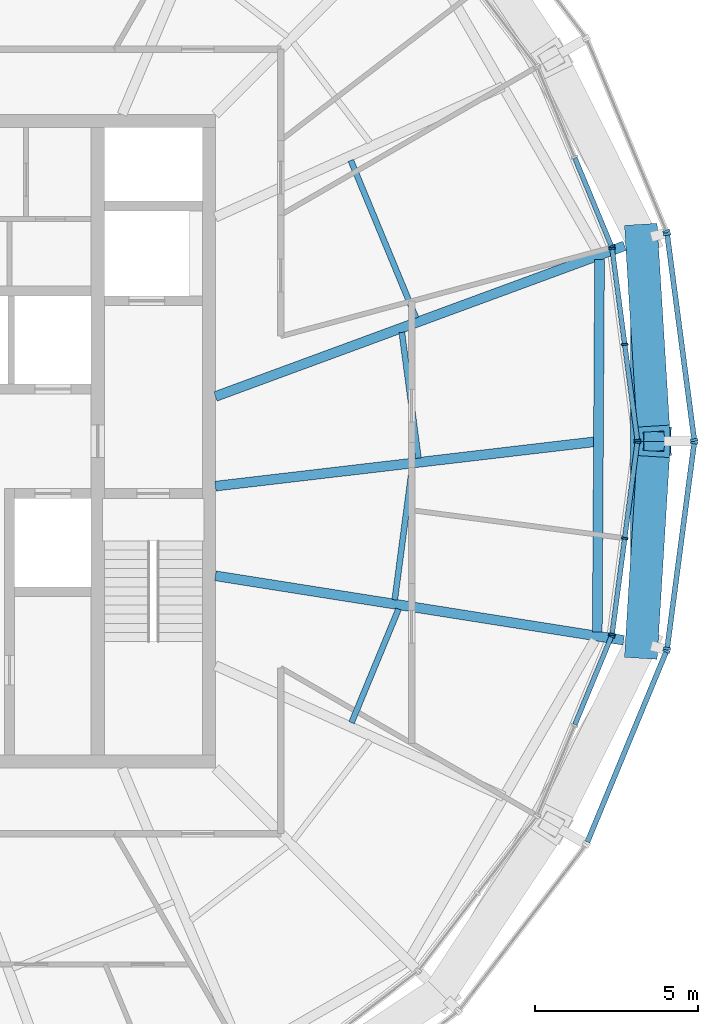
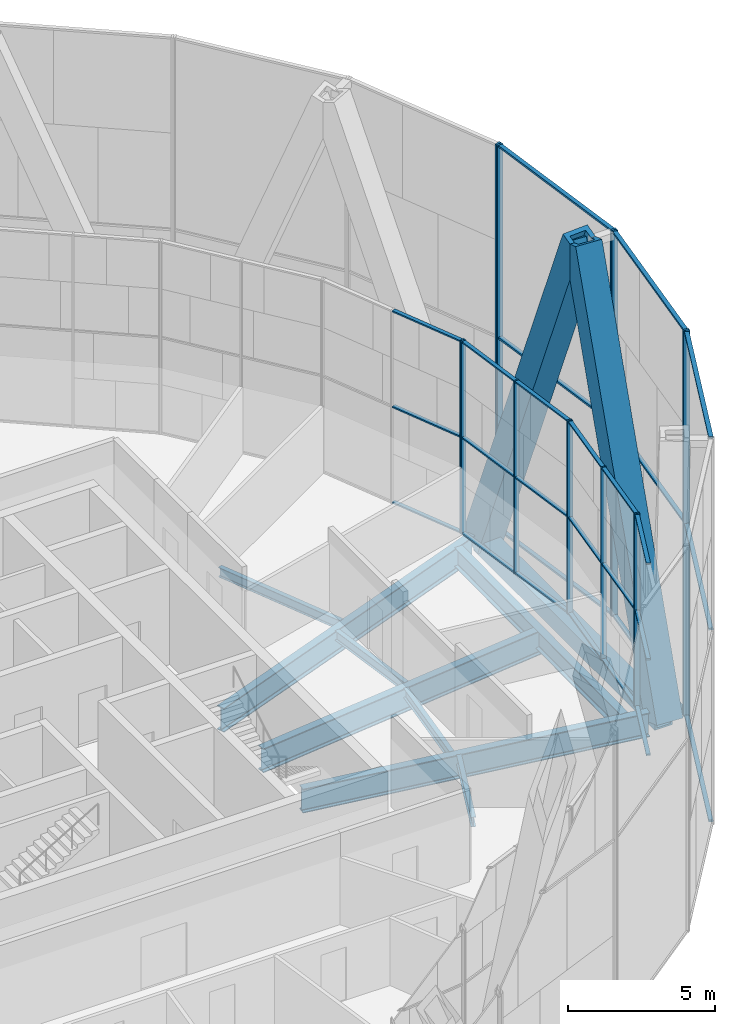
# One storey, part 5 of 23: 43 members, 9 beams, 8 elements without a shape of their own.
"""IFC4 building model written with IfcOpenShell, lengths in metres."""

from ifc_helpers import new_model, si_unit, direction, frame, origin, origin_2d, place, context, subcontext, project, spatial, rectangle, hollow_rectangle, i_section, extrude, material, material_profile, profile_set, type_object, element, aggregate, save


model = new_model("IFC4")

# Units and contexts
model_context = context("Model", 3, precision=1e-05, world=origin(), true_north=direction((0.0, 1.0)))
body_context = subcontext(model_context, "Body", "Model", "MODEL_VIEW")
ifc_project = project(units=[si_unit("LENGTHUNIT", "METRE"), si_unit("AREAUNIT", "SQUARE_METRE"), si_unit("VOLUMEUNIT", "CUBIC_METRE"), si_unit("PLANEANGLEUNIT", "RADIAN"), si_unit("MASSUNIT", "GRAM", prefix="KILO")], contexts=[model_context])

# Site, building, storey
site_placement = place(None, origin())
site = spatial("IfcSite", under=ifc_project, at=site_placement, CompositionType="ELEMENT")
building_placement = place(site_placement, origin())
building = spatial("IfcBuilding", under=site, at=building_placement, Name="Golbaran Civic Tower", CompositionType="ELEMENT")
storey_placement = place(building_placement, frame((0.0, 0.0, 232.0)))
storey = spatial("IfcBuildingStorey", under=building, at=storey_placement, Name="L56", CompositionType="ELEMENT", Elevation=232.0)

# Members
ifc_material_1 = material(Name="Steel S355", Category="steel")
ifc_material_profile_1 = material_profile(ifc_material_1, hollow_rectangle(XDim=1.0, YDim=1.0, WallThickness=0.179931640625, at=origin_2d()), Name="BOX 1000x1000x180")
ifc_profile_set_1 = profile_set([ifc_material_profile_1], Name="Steel S355")
member_type_1 = type_object("IfcMemberType", Name="DIAGRID DIAGONAL BOX 1000x1000x180", PredefinedType="BRACE", material=ifc_profile_set_1)
for number, where, z_axis, x_axis, name in (
    (1, (23.042236328125, 6.174072265625, -0.7099609375), (0.022202195339, -0.359917511497, 0.932719919075), (0.998102776097, 0.061569865582, 0.0), "Diagonal D13-00L L56-L60"),
    (2, (23.042236328125, -6.174072265625, -0.7099609375), (0.022202195339, 0.359917511497, 0.932719919075), (-0.998102776097, 0.061569865582, 0.0), "Diagonal D13-11R L56-L60"),
):
    element("IfcMember", number, at=place(storey_placement, frame(where, z_axis=z_axis, x_axis=x_axis)), inside=storey, type_object=member_type_1, Name=name, PredefinedType="BRACE", context=body_context, shape_type="SweptSolid", body=[
        extrude(hollow_rectangle(XDim=1.0, YDim=1.0, WallThickness=0.179931640625, at=origin_2d()), origin(), (0.0, 0.0, 1.0), 17.154052734375),
    ])

# Beams
ifc_material_profile_2 = material_profile(ifc_material_1, hollow_rectangle(XDim=0.699951171875, YDim=0.699951171875, WallThickness=0.080078125, at=origin_2d()), Name="BOX 700x700x80")
ifc_profile_set_2 = profile_set([ifc_material_profile_2], Name="Steel S355")
beam_type_1 = type_object("IfcBeamType", Name="DIAGRID RING TIE BOX 700x700x80", PredefinedType="BEAM", material=ifc_profile_set_2)
beam_1_placement = place(storey_placement, frame((23.042236328125, -6.174072265625, -0.7099609375), z_axis=(0.0, 1.0, 0.0), x_axis=(-1.0, 0.0, 0.0)))
element("IfcBeam", 3, at=beam_1_placement, inside=storey, type_object=beam_type_1, Name="Ring tie 345.00 L56", PredefinedType="BEAM", context=body_context, shape_type="SweptSolid", body=[
    extrude(hollow_rectangle(XDim=0.699951171875, YDim=0.699951171875, WallThickness=0.080078125, at=origin_2d()), origin(), (0.0, 0.0, 1.0), 12.34814453125),
])
ifc_material_profile_3 = material_profile(ifc_material_1, i_section(OverallWidth=0.300048828125, OverallDepth=0.800048828125, WebThickness=0.017578125, FlangeThickness=0.032958984375, FilletRadius=0.030029296875, at=origin_2d()), Name="HEB 800")
ifc_profile_set_3 = profile_set([ifc_material_profile_3], Name="Steel S355")
beam_type_2 = type_object("IfcBeamType", Name="EDGE BEAM HEB 800", PredefinedType="BEAM", material=ifc_profile_set_3)
beam_2_placement = place(storey_placement, frame((21.68359375, -5.827880859375, -0.60009765625), z_axis=(0.006002421504, 0.999981985306, 0.0), x_axis=(-0.999981985306, 0.006002421504, 0.0)))
element("IfcBeam", 4, at=beam_2_placement, inside=storey, type_object=beam_type_2, Name="Edge beam 345.00 L56", PredefinedType="BEAM", context=body_context, shape_type="SweptSolid", body=[
    extrude(i_section(OverallWidth=0.300048828125, OverallDepth=0.800048828125, WebThickness=0.017578125, FlangeThickness=0.032958984375, FilletRadius=0.030029296875, at=origin_2d()), origin(), (0.0, 0.0, 1.0), 11.388671875),
])
ifc_material_profile_4 = material_profile(ifc_material_1, i_section(OverallWidth=0.179931640625, OverallDepth=0.39990234375, WebThickness=0.008544921875, FlangeThickness=0.013427734375, FilletRadius=0.02099609375, at=origin_2d()), Name="IPE 400")
ifc_profile_set_4 = profile_set([ifc_material_profile_4], Name="Steel S355")
beam_type_3 = type_object("IfcBeamType", Name="FLOOR INFILL BEAM IPE 400", PredefinedType="BEAM", material=ifc_profile_set_4)
beam_3_placement = place(storey_placement, frame((16.21044921875, -0.513671875, -0.39990234375), z_axis=(-0.130490318339, 0.9914495836, 0.0), x_axis=(-0.9914495836, -0.130490318339, 0.0)))
element("IfcBeam", 5, at=beam_3_placement, inside=storey, type_object=beam_type_3, Name="Infill beam 7.50 L56", PredefinedType="BEAM", context=body_context, shape_type="SweptSolid", body=[
    extrude(i_section(OverallWidth=0.179931640625, OverallDepth=0.39990234375, WebThickness=0.008544921875, FlangeThickness=0.013427734375, FilletRadius=0.02099609375, at=origin_2d()), origin(), (0.0, 0.0, 1.0), 3.88037109375),
])
beam_4_placement = place(storey_placement, frame((16.139404296875, 3.770751953125, -0.39990234375), z_axis=(-0.382672489845, 0.923884064976, 0.0), x_axis=(-0.923884064976, -0.382672489845, 0.0)))
element("IfcBeam", 6, at=beam_4_placement, inside=storey, type_object=beam_type_3, Name="Infill beam 22.50 L56", PredefinedType="BEAM", context=body_context, shape_type="SweptSolid", body=[
    extrude(i_section(OverallWidth=0.179931640625, OverallDepth=0.39990234375, WebThickness=0.008544921875, FlangeThickness=0.013427734375, FilletRadius=0.02099609375, at=origin_2d()), origin(), (0.0, 0.0, 1.0), 5.221923828125),
])
beam_5_placement = place(storey_placement, frame((14.164306640625, -8.607421875, -0.39990234375), z_axis=(0.382684157055, 0.923879232334, 0.0), x_axis=(-0.923879232334, 0.382684157055, 0.0)))
element("IfcBeam", 7, at=beam_5_placement, inside=storey, type_object=beam_type_3, Name="Infill beam 337.50 L56", PredefinedType="BEAM", context=body_context, shape_type="SweptSolid", body=[
    extrude(i_section(OverallWidth=0.179931640625, OverallDepth=0.39990234375, WebThickness=0.008544921875, FlangeThickness=0.013427734375, FilletRadius=0.02099609375, at=origin_2d()), origin(), (0.0, 0.0, 1.0), 3.7626953125),
])
beam_6_placement = place(storey_placement, frame((15.487060546875, -4.849365234375, -0.39990234375), z_axis=(0.13053951133, 0.991443107789, 0.0), x_axis=(-0.991443107789, 0.13053951133, 0.0)))
element("IfcBeam", 8, at=beam_6_placement, inside=storey, type_object=beam_type_3, Name="Infill beam 352.50 L56", PredefinedType="BEAM", context=body_context, shape_type="SweptSolid", body=[
    extrude(i_section(OverallWidth=0.179931640625, OverallDepth=0.39990234375, WebThickness=0.008544921875, FlangeThickness=0.013427734375, FilletRadius=0.02099609375, at=origin_2d()), origin(), (0.0, 0.0, 1.0), 4.08642578125),
])

# Curtain wall, members
ifc_material_2 = material(Name="Aluminium and glass", Category="aluminium")
curtain_wall_type_1 = type_object("IfcCurtainWallType", Name="INNER SKIN CURTAIN WALL EXECUTIVE", PredefinedType="NOTDEFINED", material=ifc_material_2)
curtain_wall_1_placement = place(storey_placement, origin())
curtain_wall_1 = element("IfcCurtainWall", 9, at=curtain_wall_1_placement, inside=storey, type_object=curtain_wall_type_1, Name="Inner skin L56 facet 1 CW2", ObjectType="INNER SKIN", PredefinedType="USERDEFINED")
ifc_material_3 = material(Name="Aluminium", Category="aluminium")
ifc_material_profile_5 = material_profile(ifc_material_3, rectangle(XDim=0.199951171875, YDim=0.06005859375, at=origin_2d()), Name="INNER SKIN CURTAIN WALL EXECUTIVE MULLION")
ifc_profile_set_5 = profile_set([ifc_material_profile_5], Name="Aluminium")
member_type_2 = type_object("IfcMemberType", Name="INNER SKIN CURTAIN WALL EXECUTIVE MULLION", PredefinedType="MULLION", material=ifc_profile_set_5)
member_1_placement = place(storey_placement, frame((22.9091796875, 0.02978515625, 0.0), z_axis=(0.0, 0.0, 1.0), x_axis=(-0.991444861378, -0.130526192185, 0.0)))
member_1 = element("IfcMember", 10, at=member_1_placement, type_object=member_type_2, Name="CW2 mullion 1", PredefinedType="MULLION", context=body_context, shape_type="SweptSolid", body=[
    extrude(rectangle(XDim=0.199951171875, YDim=0.06005859375, at=origin_2d()), origin(), (0.0, 0.0, 1.0), 8.0),
])
member_2_placement = place(storey_placement, frame((22.522705078125, 2.965087890625, 0.0), z_axis=(0.0, 0.0, 1.0), x_axis=(-0.991444861378, -0.130526192185, 0.0)))
member_2 = element("IfcMember", 11, at=member_2_placement, type_object=member_type_2, Name="CW2 mullion 2", PredefinedType="MULLION", context=body_context, shape_type="SweptSolid", body=[
    extrude(rectangle(XDim=0.199951171875, YDim=0.06005859375, at=origin_2d()), origin(), (0.0, 0.0, 1.0), 8.0),
])
member_3_placement = place(storey_placement, frame((22.13623046875, 5.900634765625, 0.0), z_axis=(0.0, 0.0, 1.0), x_axis=(-0.991444861378, -0.130526192185, 0.0)))
member_3 = element("IfcMember", 12, at=member_3_placement, type_object=member_type_2, Name="CW2 mullion 3", PredefinedType="MULLION", context=body_context, shape_type="SweptSolid", body=[
    extrude(rectangle(XDim=0.199951171875, YDim=0.06005859375, at=origin_2d()), origin(), (0.0, 0.0, 1.0), 8.0),
])

# Curtain wall, member
curtain_wall_2_placement = place(storey_placement, origin())
curtain_wall_2 = element("IfcCurtainWall", 13, at=curtain_wall_2_placement, inside=storey, type_object=curtain_wall_type_1, Name="Inner skin L56 facet 2 CW2", ObjectType="INNER SKIN", PredefinedType="USERDEFINED")
member_4_placement = place(storey_placement, frame((22.120849609375, 5.9580078125, 0.0), z_axis=(0.0, 0.0, 1.0), x_axis=(-0.923879532511, -0.382683432365, 0.0)))
member_4 = element("IfcMember", 14, at=member_4_placement, type_object=member_type_2, Name="CW2 mullion 1", PredefinedType="MULLION", context=body_context, shape_type="SweptSolid", body=[
    extrude(rectangle(XDim=0.199951171875, YDim=0.06005859375, at=origin_2d()), origin(), (0.0, 0.0, 1.0), 8.0),
])

curtain_wall_3_placement = place(storey_placement, origin())
curtain_wall_3 = element("IfcCurtainWall", 15, at=curtain_wall_3_placement, inside=storey, type_object=curtain_wall_type_1, Name="Inner skin L56 facet 23 CW2", ObjectType="INNER SKIN", PredefinedType="USERDEFINED")
member_5_placement = place(storey_placement, frame((22.120849609375, -5.9580078125, 0.0), z_axis=(0.0, 0.0, 1.0), x_axis=(-0.923879532511, 0.382683432365, 0.0)))
member_5 = element("IfcMember", 16, at=member_5_placement, type_object=member_type_2, Name="CW2 mullion 3", PredefinedType="MULLION", context=body_context, shape_type="SweptSolid", body=[
    extrude(rectangle(XDim=0.199951171875, YDim=0.06005859375, at=origin_2d()), origin(), (0.0, 0.0, 1.0), 8.0),
])

# Curtain wall, members
curtain_wall_4_placement = place(storey_placement, origin())
curtain_wall_4 = element("IfcCurtainWall", 17, at=curtain_wall_4_placement, inside=storey, type_object=curtain_wall_type_1, Name="Inner skin L56 facet 24 CW2", ObjectType="INNER SKIN", PredefinedType="USERDEFINED")
member_6_placement = place(storey_placement, frame((22.13623046875, -5.900634765625, 0.0), z_axis=(0.0, 0.0, 1.0), x_axis=(-0.991444861378, 0.130526192185, 0.0)))
member_6 = element("IfcMember", 18, at=member_6_placement, type_object=member_type_2, Name="CW2 mullion 1", PredefinedType="MULLION", context=body_context, shape_type="SweptSolid", body=[
    extrude(rectangle(XDim=0.199951171875, YDim=0.06005859375, at=origin_2d()), origin(), (0.0, 0.0, 1.0), 8.0),
])
member_7_placement = place(storey_placement, frame((22.522705078125, -2.965087890625, 0.0), z_axis=(0.0, 0.0, 1.0), x_axis=(-0.991444861378, 0.130526192185, 0.0)))
member_7 = element("IfcMember", 19, at=member_7_placement, type_object=member_type_2, Name="CW2 mullion 2", PredefinedType="MULLION", context=body_context, shape_type="SweptSolid", body=[
    extrude(rectangle(XDim=0.199951171875, YDim=0.06005859375, at=origin_2d()), origin(), (0.0, 0.0, 1.0), 8.0),
])
member_8_placement = place(storey_placement, frame((22.9091796875, -0.02978515625, 0.0), z_axis=(0.0, 0.0, 1.0), x_axis=(-0.991444861378, 0.130526192185, 0.0)))
member_8 = element("IfcMember", 20, at=member_8_placement, type_object=member_type_2, Name="CW2 mullion 3", PredefinedType="MULLION", context=body_context, shape_type="SweptSolid", body=[
    extrude(rectangle(XDim=0.199951171875, YDim=0.06005859375, at=origin_2d()), origin(), (0.0, 0.0, 1.0), 8.0),
])

# Member
ifc_material_profile_6 = material_profile(ifc_material_3, rectangle(XDim=0.14990234375, YDim=0.06005859375, at=origin_2d()), Name="INNER SKIN CURTAIN WALL EXECUTIVE TRANSOM")
ifc_profile_set_6 = profile_set([ifc_material_profile_6], Name="Aluminium")
member_type_3 = type_object("IfcMemberType", Name="INNER SKIN CURTAIN WALL EXECUTIVE TRANSOM", PredefinedType="USERDEFINED", material=ifc_profile_set_6)
member_9_placement = place(storey_placement, frame((22.9052734375, 0.0595703125, 0.030029296875), z_axis=(-0.130548136409, 0.99144197212, 0.0), x_axis=(-0.99144197212, -0.130548136409, 0.0)))
member_9 = element("IfcMember", 21, at=member_9_placement, type_object=member_type_3, Name="CW2 transom 1.1", ObjectType="TRANSOM", PredefinedType="USERDEFINED", context=body_context, shape_type="SweptSolid", body=[
    extrude(rectangle(XDim=0.14990234375, YDim=0.06005859375, at=origin_2d()), origin(), (0.0, 0.0, 1.0), 2.900634765625),
])

member_10_placement = place(storey_placement, frame((22.9052734375, 0.0595703125, 4.0), z_axis=(-0.130548136409, 0.99144197212, 0.0), x_axis=(-0.99144197212, -0.130548136409, 0.0)))
member_10 = element("IfcMember", 22, at=member_10_placement, type_object=member_type_3, Name="CW2 transom 1.2", ObjectType="TRANSOM", PredefinedType="USERDEFINED", context=body_context, shape_type="SweptSolid", body=[
    extrude(rectangle(XDim=0.14990234375, YDim=0.06005859375, at=origin_2d()), origin(), (0.0, 0.0, 1.0), 2.900634765625),
])

member_11_placement = place(storey_placement, frame((22.9052734375, 0.0595703125, 7.969970703125), z_axis=(-0.130548136409, 0.99144197212, 0.0), x_axis=(-0.99144197212, -0.130548136409, 0.0)))
member_11 = element("IfcMember", 23, at=member_11_placement, type_object=member_type_3, Name="CW2 transom 1.3", ObjectType="TRANSOM", PredefinedType="USERDEFINED", context=body_context, shape_type="SweptSolid", body=[
    extrude(rectangle(XDim=0.14990234375, YDim=0.06005859375, at=origin_2d()), origin(), (0.0, 0.0, 1.0), 2.900634765625),
])

member_12_placement = place(storey_placement, frame((22.518798828125, 2.994873046875, 0.030029296875), z_axis=(-0.130537243072, 0.991443406439, 0.0), x_axis=(-0.991443406439, -0.130537243072, 0.0)))
member_12 = element("IfcMember", 24, at=member_12_placement, type_object=member_type_3, Name="CW2 transom 2.1", ObjectType="TRANSOM", PredefinedType="USERDEFINED", context=body_context, shape_type="SweptSolid", body=[
    extrude(rectangle(XDim=0.14990234375, YDim=0.06005859375, at=origin_2d()), origin(), (0.0, 0.0, 1.0), 2.90087890625),
])

member_13_placement = place(storey_placement, frame((22.518798828125, 2.994873046875, 4.0), z_axis=(-0.130537243072, 0.991443406439, 0.0), x_axis=(-0.991443406439, -0.130537243072, 0.0)))
member_13 = element("IfcMember", 25, at=member_13_placement, type_object=member_type_3, Name="CW2 transom 2.2", ObjectType="TRANSOM", PredefinedType="USERDEFINED", context=body_context, shape_type="SweptSolid", body=[
    extrude(rectangle(XDim=0.14990234375, YDim=0.06005859375, at=origin_2d()), origin(), (0.0, 0.0, 1.0), 2.90087890625),
])

member_14_placement = place(storey_placement, frame((22.518798828125, 2.994873046875, 7.969970703125), z_axis=(-0.130537243072, 0.991443406439, 0.0), x_axis=(-0.991443406439, -0.130537243072, 0.0)))
member_14 = element("IfcMember", 26, at=member_14_placement, type_object=member_type_3, Name="CW2 transom 2.3", ObjectType="TRANSOM", PredefinedType="USERDEFINED", context=body_context, shape_type="SweptSolid", body=[
    extrude(rectangle(XDim=0.14990234375, YDim=0.06005859375, at=origin_2d()), origin(), (0.0, 0.0, 1.0), 2.90087890625),
])

aggregate(curtain_wall_1, [member_1, member_2, member_3, member_9, member_10, member_11, member_12, member_13, member_14])

member_15_placement = place(storey_placement, frame((22.109375, 5.98583984375, 0.030029296875), z_axis=(-0.382696199963, 0.923874243896, 0.0), x_axis=(-0.923874243896, -0.382696199963, 0.0)))
member_15 = element("IfcMember", 27, at=member_15_placement, type_object=member_type_3, Name="CW2 transom 1.1", ObjectType="TRANSOM", PredefinedType="USERDEFINED", context=body_context, shape_type="SweptSolid", body=[
    extrude(rectangle(XDim=0.14990234375, YDim=0.06005859375, at=origin_2d()), origin(), (0.0, 0.0, 1.0), 2.900634765625),
])

member_16_placement = place(storey_placement, frame((22.109375, 5.98583984375, 4.0), z_axis=(-0.382696199963, 0.923874243896, 0.0), x_axis=(-0.923874243896, -0.382696199963, 0.0)))
member_16 = element("IfcMember", 28, at=member_16_placement, type_object=member_type_3, Name="CW2 transom 1.2", ObjectType="TRANSOM", PredefinedType="USERDEFINED", context=body_context, shape_type="SweptSolid", body=[
    extrude(rectangle(XDim=0.14990234375, YDim=0.06005859375, at=origin_2d()), origin(), (0.0, 0.0, 1.0), 2.900634765625),
])

member_17_placement = place(storey_placement, frame((22.109375, 5.98583984375, 7.969970703125), z_axis=(-0.382696199963, 0.923874243896, 0.0), x_axis=(-0.923874243896, -0.382696199963, 0.0)))
member_17 = element("IfcMember", 29, at=member_17_placement, type_object=member_type_3, Name="CW2 transom 1.3", ObjectType="TRANSOM", PredefinedType="USERDEFINED", context=body_context, shape_type="SweptSolid", body=[
    extrude(rectangle(XDim=0.14990234375, YDim=0.06005859375, at=origin_2d()), origin(), (0.0, 0.0, 1.0), 2.900634765625),
])

aggregate(curtain_wall_2, [member_4, member_15, member_16, member_17])

member_18_placement = place(storey_placement, frame((20.999267578125, -8.665771484375, 0.030029296875), z_axis=(0.382696199963, 0.923874243896, 0.0), x_axis=(-0.923874243896, 0.382696199963, 0.0)))
member_18 = element("IfcMember", 30, at=member_18_placement, type_object=member_type_3, Name="CW2 transom 2.1", ObjectType="TRANSOM", PredefinedType="USERDEFINED", context=body_context, shape_type="SweptSolid", body=[
    extrude(rectangle(XDim=0.14990234375, YDim=0.06005859375, at=origin_2d()), origin(), (0.0, 0.0, 1.0), 2.900634765625),
])

member_19_placement = place(storey_placement, frame((20.999267578125, -8.665771484375, 4.0), z_axis=(0.382696199963, 0.923874243896, 0.0), x_axis=(-0.923874243896, 0.382696199963, 0.0)))
member_19 = element("IfcMember", 31, at=member_19_placement, type_object=member_type_3, Name="CW2 transom 2.2", ObjectType="TRANSOM", PredefinedType="USERDEFINED", context=body_context, shape_type="SweptSolid", body=[
    extrude(rectangle(XDim=0.14990234375, YDim=0.06005859375, at=origin_2d()), origin(), (0.0, 0.0, 1.0), 2.900634765625),
])

member_20_placement = place(storey_placement, frame((20.999267578125, -8.665771484375, 7.969970703125), z_axis=(0.382696199963, 0.923874243896, 0.0), x_axis=(-0.923874243896, 0.382696199963, 0.0)))
member_20 = element("IfcMember", 32, at=member_20_placement, type_object=member_type_3, Name="CW2 transom 2.3", ObjectType="TRANSOM", PredefinedType="USERDEFINED", context=body_context, shape_type="SweptSolid", body=[
    extrude(rectangle(XDim=0.14990234375, YDim=0.06005859375, at=origin_2d()), origin(), (0.0, 0.0, 1.0), 2.900634765625),
])

aggregate(curtain_wall_3, [member_5, member_18, member_19, member_20])

member_21_placement = place(storey_placement, frame((22.14013671875, -5.870849609375, 0.030029296875), z_axis=(0.130537243072, 0.991443406439, 0.0), x_axis=(-0.991443406439, 0.130537243072, 0.0)))
member_21 = element("IfcMember", 33, at=member_21_placement, type_object=member_type_3, Name="CW2 transom 1.1", ObjectType="TRANSOM", PredefinedType="USERDEFINED", context=body_context, shape_type="SweptSolid", body=[
    extrude(rectangle(XDim=0.14990234375, YDim=0.06005859375, at=origin_2d()), origin(), (0.0, 0.0, 1.0), 2.90087890625),
])

member_22_placement = place(storey_placement, frame((22.14013671875, -5.870849609375, 4.0), z_axis=(0.130537243072, 0.991443406439, 0.0), x_axis=(-0.991443406439, 0.130537243072, 0.0)))
member_22 = element("IfcMember", 34, at=member_22_placement, type_object=member_type_3, Name="CW2 transom 1.2", ObjectType="TRANSOM", PredefinedType="USERDEFINED", context=body_context, shape_type="SweptSolid", body=[
    extrude(rectangle(XDim=0.14990234375, YDim=0.06005859375, at=origin_2d()), origin(), (0.0, 0.0, 1.0), 2.90087890625),
])

member_23_placement = place(storey_placement, frame((22.14013671875, -5.870849609375, 7.969970703125), z_axis=(0.130537243072, 0.991443406439, 0.0), x_axis=(-0.991443406439, 0.130537243072, 0.0)))
member_23 = element("IfcMember", 35, at=member_23_placement, type_object=member_type_3, Name="CW2 transom 1.3", ObjectType="TRANSOM", PredefinedType="USERDEFINED", context=body_context, shape_type="SweptSolid", body=[
    extrude(rectangle(XDim=0.14990234375, YDim=0.06005859375, at=origin_2d()), origin(), (0.0, 0.0, 1.0), 2.90087890625),
])

member_24_placement = place(storey_placement, frame((22.526611328125, -2.935302734375, 0.030029296875), z_axis=(0.130548136409, 0.99144197212, 0.0), x_axis=(-0.99144197212, 0.130548136409, 0.0)))
member_24 = element("IfcMember", 36, at=member_24_placement, type_object=member_type_3, Name="CW2 transom 2.1", ObjectType="TRANSOM", PredefinedType="USERDEFINED", context=body_context, shape_type="SweptSolid", body=[
    extrude(rectangle(XDim=0.14990234375, YDim=0.06005859375, at=origin_2d()), origin(), (0.0, 0.0, 1.0), 2.900634765625),
])

member_25_placement = place(storey_placement, frame((22.526611328125, -2.935302734375, 4.0), z_axis=(0.130548136409, 0.99144197212, 0.0), x_axis=(-0.99144197212, 0.130548136409, 0.0)))
member_25 = element("IfcMember", 37, at=member_25_placement, type_object=member_type_3, Name="CW2 transom 2.2", ObjectType="TRANSOM", PredefinedType="USERDEFINED", context=body_context, shape_type="SweptSolid", body=[
    extrude(rectangle(XDim=0.14990234375, YDim=0.06005859375, at=origin_2d()), origin(), (0.0, 0.0, 1.0), 2.900634765625),
])

member_26_placement = place(storey_placement, frame((22.526611328125, -2.935302734375, 7.969970703125), z_axis=(0.130548136409, 0.99144197212, 0.0), x_axis=(-0.99144197212, 0.130548136409, 0.0)))
member_26 = element("IfcMember", 38, at=member_26_placement, type_object=member_type_3, Name="CW2 transom 2.3", ObjectType="TRANSOM", PredefinedType="USERDEFINED", context=body_context, shape_type="SweptSolid", body=[
    extrude(rectangle(XDim=0.14990234375, YDim=0.06005859375, at=origin_2d()), origin(), (0.0, 0.0, 1.0), 2.900634765625),
])

aggregate(curtain_wall_4, [member_6, member_7, member_8, member_21, member_22, member_23, member_24, member_25, member_26])

# Curtain wall, members
curtain_wall_type_2 = type_object("IfcCurtainWallType", Name="OUTER SKIN TERRACOTTA SCREEN", PredefinedType="NOTDEFINED", material=ifc_material_2)
curtain_wall_5_placement = place(storey_placement, origin())
curtain_wall_5 = element("IfcCurtainWall", 39, at=curtain_wall_5_placement, inside=storey, type_object=curtain_wall_type_2, Name="Outer skin L56 facet 1 CW3", ObjectType="OUTER SKIN", PredefinedType="USERDEFINED")
ifc_material_profile_7 = material_profile(ifc_material_3, rectangle(XDim=0.219970703125, YDim=0.080078125, at=origin_2d()), Name="OUTER SKIN TERRACOTTA SCREEN MULLION")
ifc_profile_set_7 = profile_set([ifc_material_profile_7], Name="Aluminium")
member_type_4 = type_object("IfcMemberType", Name="OUTER SKIN TERRACOTTA SCREEN MULLION", PredefinedType="MULLION", material=ifc_profile_set_7)
member_27_placement = place(storey_placement, frame((24.649658203125, 0.03955078125, -0.7099609375), z_axis=(0.0, 0.0, 1.0), x_axis=(-0.991444861372, -0.130526192237, 0.0)))
member_27 = element("IfcMember", 40, at=member_27_placement, type_object=member_type_4, Name="CW3 mullion 1", PredefinedType="MULLION", context=body_context, shape_type="SweptSolid", body=[
    extrude(rectangle(XDim=0.219970703125, YDim=0.080078125, at=origin_2d()), origin(), (0.0, 0.0, 1.0), 16.0),
])
member_28_placement = place(storey_placement, frame((23.820068359375, 6.341552734375, -0.7099609375), z_axis=(0.0, 0.0, 1.0), x_axis=(-0.991444861372, -0.130526192237, 0.0)))
member_28 = element("IfcMember", 41, at=member_28_placement, type_object=member_type_4, Name="CW3 mullion 2", PredefinedType="MULLION", context=body_context, shape_type="SweptSolid", body=[
    extrude(rectangle(XDim=0.219970703125, YDim=0.080078125, at=origin_2d()), origin(), (0.0, 0.0, 1.0), 16.0),
])

# Curtain wall, member
curtain_wall_6_placement = place(storey_placement, origin())
curtain_wall_6 = element("IfcCurtainWall", 42, at=curtain_wall_6_placement, inside=storey, type_object=curtain_wall_type_2, Name="Outer skin L56 facet 2 CW3", ObjectType="OUTER SKIN", PredefinedType="USERDEFINED")
member_29_placement = place(storey_placement, frame((23.799560546875, 6.418212890625, -0.7099609375), z_axis=(0.0, 0.0, 1.0), x_axis=(-0.923879532505, -0.382683432381, 0.0)))
member_29 = element("IfcMember", 43, at=member_29_placement, type_object=member_type_4, Name="CW3 mullion 1", PredefinedType="MULLION", context=body_context, shape_type="SweptSolid", body=[
    extrude(rectangle(XDim=0.219970703125, YDim=0.080078125, at=origin_2d()), origin(), (0.0, 0.0, 1.0), 16.0),
])
aggregate(curtain_wall_6, [member_29])

curtain_wall_7_placement = place(storey_placement, origin())
curtain_wall_7 = element("IfcCurtainWall", 44, at=curtain_wall_7_placement, inside=storey, type_object=curtain_wall_type_2, Name="Outer skin L56 facet 23 CW3", ObjectType="OUTER SKIN", PredefinedType="USERDEFINED")
member_30_placement = place(storey_placement, frame((23.799560546875, -6.418212890625, -0.7099609375), z_axis=(0.0, 0.0, 1.0), x_axis=(-0.923879532505, 0.382683432381, 0.0)))
member_30 = element("IfcMember", 45, at=member_30_placement, type_object=member_type_4, Name="CW3 mullion 2", PredefinedType="MULLION", context=body_context, shape_type="SweptSolid", body=[
    extrude(rectangle(XDim=0.219970703125, YDim=0.080078125, at=origin_2d()), origin(), (0.0, 0.0, 1.0), 16.0),
])

# Curtain wall, members
curtain_wall_8_placement = place(storey_placement, origin())
curtain_wall_8 = element("IfcCurtainWall", 46, at=curtain_wall_8_placement, inside=storey, type_object=curtain_wall_type_2, Name="Outer skin L56 facet 24 CW3", ObjectType="OUTER SKIN", PredefinedType="USERDEFINED")
member_31_placement = place(storey_placement, frame((23.820068359375, -6.341552734375, -0.7099609375), z_axis=(0.0, 0.0, 1.0), x_axis=(-0.991444861372, 0.130526192237, 0.0)))
member_31 = element("IfcMember", 47, at=member_31_placement, type_object=member_type_4, Name="CW3 mullion 1", PredefinedType="MULLION", context=body_context, shape_type="SweptSolid", body=[
    extrude(rectangle(XDim=0.219970703125, YDim=0.080078125, at=origin_2d()), origin(), (0.0, 0.0, 1.0), 16.0),
])
member_32_placement = place(storey_placement, frame((24.649658203125, -0.03955078125, -0.7099609375), z_axis=(0.0, 0.0, 1.0), x_axis=(-0.991444861372, 0.130526192237, 0.0)))
member_32 = element("IfcMember", 48, at=member_32_placement, type_object=member_type_4, Name="CW3 mullion 2", PredefinedType="MULLION", context=body_context, shape_type="SweptSolid", body=[
    extrude(rectangle(XDim=0.219970703125, YDim=0.080078125, at=origin_2d()), origin(), (0.0, 0.0, 1.0), 16.0),
])

# Member
ifc_material_profile_8 = material_profile(ifc_material_3, rectangle(XDim=0.159912109375, YDim=0.080078125, at=origin_2d()), Name="OUTER SKIN TERRACOTTA SCREEN TRANSOM")
ifc_profile_set_8 = profile_set([ifc_material_profile_8], Name="Aluminium")
member_type_5 = type_object("IfcMemberType", Name="OUTER SKIN TERRACOTTA SCREEN TRANSOM", PredefinedType="USERDEFINED", material=ifc_profile_set_8)
member_33_placement = place(storey_placement, frame((24.64453125, 0.079345703125, -0.669921875), z_axis=(-0.130509856972, 0.991447011813, 0.0), x_axis=(-0.991447011813, -0.130509856972, 0.0)))
member_33 = element("IfcMember", 49, at=member_33_placement, type_object=member_type_5, Name="CW3 transom 1.1", ObjectType="TRANSOM", PredefinedType="USERDEFINED", context=body_context, shape_type="SweptSolid", body=[
    extrude(rectangle(XDim=0.159912109375, YDim=0.080078125, at=origin_2d()), origin(), (0.0, 0.0, 1.0), 6.276123046875),
])

member_34_placement = place(storey_placement, frame((24.64453125, 0.079345703125, 7.2900390625), z_axis=(-0.130509856972, 0.991447011813, 0.0), x_axis=(-0.991447011813, -0.130509856972, 0.0)))
member_34 = element("IfcMember", 50, at=member_34_placement, type_object=member_type_5, Name="CW3 transom 1.2", ObjectType="TRANSOM", PredefinedType="USERDEFINED", context=body_context, shape_type="SweptSolid", body=[
    extrude(rectangle(XDim=0.159912109375, YDim=0.080078125, at=origin_2d()), origin(), (0.0, 0.0, 1.0), 6.276123046875),
])

member_35_placement = place(storey_placement, frame((24.64453125, 0.079345703125, 15.25), z_axis=(-0.130509856972, 0.991447011813, 0.0), x_axis=(-0.991447011813, -0.130509856972, 0.0)))
member_35 = element("IfcMember", 51, at=member_35_placement, type_object=member_type_5, Name="CW3 transom 1.3", ObjectType="TRANSOM", PredefinedType="USERDEFINED", context=body_context, shape_type="SweptSolid", body=[
    extrude(rectangle(XDim=0.159912109375, YDim=0.080078125, at=origin_2d()), origin(), (0.0, 0.0, 1.0), 6.276123046875),
])

aggregate(curtain_wall_5, [member_27, member_28, member_33, member_34, member_35])

member_36_placement = place(storey_placement, frame((21.382568359375, -12.253662109375, -0.669921875), z_axis=(0.382650683858, 0.923893096707, 0.0), x_axis=(-0.923893096707, 0.382650683858, 0.0)))
member_36 = element("IfcMember", 52, at=member_36_placement, type_object=member_type_5, Name="CW3 transom 1.1", ObjectType="TRANSOM", PredefinedType="USERDEFINED", context=body_context, shape_type="SweptSolid", body=[
    extrude(rectangle(XDim=0.159912109375, YDim=0.080078125, at=origin_2d()), origin(), (0.0, 0.0, 1.0), 6.2763671875),
])

member_37_placement = place(storey_placement, frame((21.382568359375, -12.253662109375, 7.2900390625), z_axis=(0.382650683858, 0.923893096707, 0.0), x_axis=(-0.923893096707, 0.382650683858, 0.0)))
member_37 = element("IfcMember", 53, at=member_37_placement, type_object=member_type_5, Name="CW3 transom 1.2", ObjectType="TRANSOM", PredefinedType="USERDEFINED", context=body_context, shape_type="SweptSolid", body=[
    extrude(rectangle(XDim=0.159912109375, YDim=0.080078125, at=origin_2d()), origin(), (0.0, 0.0, 1.0), 6.2763671875),
])

member_38_placement = place(storey_placement, frame((21.382568359375, -12.253662109375, 15.25), z_axis=(0.382650683858, 0.923893096707, 0.0), x_axis=(-0.923893096707, 0.382650683858, 0.0)))
member_38 = element("IfcMember", 54, at=member_38_placement, type_object=member_type_5, Name="CW3 transom 1.3", ObjectType="TRANSOM", PredefinedType="USERDEFINED", context=body_context, shape_type="SweptSolid", body=[
    extrude(rectangle(XDim=0.159912109375, YDim=0.080078125, at=origin_2d()), origin(), (0.0, 0.0, 1.0), 6.2763671875),
])

aggregate(curtain_wall_7, [member_30, member_36, member_37, member_38])

member_39_placement = place(storey_placement, frame((23.825439453125, -6.3017578125, -0.669921875), z_axis=(0.130509856972, 0.991447011813, 0.0), x_axis=(-0.991447011813, 0.130509856972, 0.0)))
member_39 = element("IfcMember", 55, at=member_39_placement, type_object=member_type_5, Name="CW3 transom 1.1", ObjectType="TRANSOM", PredefinedType="USERDEFINED", context=body_context, shape_type="SweptSolid", body=[
    extrude(rectangle(XDim=0.159912109375, YDim=0.080078125, at=origin_2d()), origin(), (0.0, 0.0, 1.0), 6.276123046875),
])

member_40_placement = place(storey_placement, frame((23.825439453125, -6.3017578125, 7.2900390625), z_axis=(0.130509856972, 0.991447011813, 0.0), x_axis=(-0.991447011813, 0.130509856972, 0.0)))
member_40 = element("IfcMember", 56, at=member_40_placement, type_object=member_type_5, Name="CW3 transom 1.2", ObjectType="TRANSOM", PredefinedType="USERDEFINED", context=body_context, shape_type="SweptSolid", body=[
    extrude(rectangle(XDim=0.159912109375, YDim=0.080078125, at=origin_2d()), origin(), (0.0, 0.0, 1.0), 6.276123046875),
])

member_41_placement = place(storey_placement, frame((23.825439453125, -6.3017578125, 15.25), z_axis=(0.130509856972, 0.991447011813, 0.0), x_axis=(-0.991447011813, 0.130509856972, 0.0)))
member_41 = element("IfcMember", 57, at=member_41_placement, type_object=member_type_5, Name="CW3 transom 1.3", ObjectType="TRANSOM", PredefinedType="USERDEFINED", context=body_context, shape_type="SweptSolid", body=[
    extrude(rectangle(XDim=0.159912109375, YDim=0.080078125, at=origin_2d()), origin(), (0.0, 0.0, 1.0), 6.276123046875),
])

aggregate(curtain_wall_8, [member_31, member_32, member_39, member_40, member_41])

# Beams
ifc_material_profile_9 = material_profile(ifc_material_1, i_section(OverallWidth=0.300048828125, OverallDepth=1.0, WebThickness=0.01904296875, FlangeThickness=0.035888671875, FilletRadius=0.030029296875, at=origin_2d()), Name="HEB 1000")
ifc_profile_set_9 = profile_set([ifc_material_profile_9], Name="Steel S355")
beam_type_4 = type_object("IfcBeamType", Name="RADIAL FLOOR BEAM HEB 1000", PredefinedType="BEAM", material=ifc_profile_set_9)
beam_7_placement = place(storey_placement, frame((10.0, 1.371337890625, -0.7099609375), z_axis=(0.938394344891, 0.345566279425, 0.0), x_axis=(-0.345566279425, 0.938394344891, 0.0)))
element("IfcBeam", 58, at=beam_7_placement, inside=storey, type_object=beam_type_4, Name="Radial beam 15.00 L56", PredefinedType="BEAM", context=body_context, shape_type="SweptSolid", body=[
    extrude(i_section(OverallWidth=0.300048828125, OverallDepth=1.0, WebThickness=0.01904296875, FlangeThickness=0.035888671875, FilletRadius=0.030029296875, at=origin_2d()), origin(), (0.0, 0.0, 1.0), 13.341552734375),
])
beam_8_placement = place(storey_placement, frame((10.0, -4.1142578125, -0.7099609375), z_axis=(0.98775764243, -0.155996281436, 0.0), x_axis=(0.155996281436, 0.98775764243, 0.0)))
element("IfcBeam", 59, at=beam_8_placement, inside=storey, type_object=beam_type_4, Name="Radial beam 345.00 L56", PredefinedType="BEAM", context=body_context, shape_type="SweptSolid", body=[
    extrude(i_section(OverallWidth=0.300048828125, OverallDepth=1.0, WebThickness=0.01904296875, FlangeThickness=0.035888671875, FilletRadius=0.030029296875, at=origin_2d()), origin(), (0.0, 0.0, 1.0), 12.6455078125),
])
ifc_material_profile_10 = material_profile(ifc_material_1, i_section(OverallWidth=0.300048828125, OverallDepth=1.0, WebThickness=0.01904296875, FlangeThickness=0.035888671875, FilletRadius=0.030029296875, at=origin_2d()), Name="HEB 1000")
ifc_profile_set_10 = profile_set([ifc_material_profile_10], Name="Steel S355")
beam_type_5 = type_object("IfcBeamType", Name="SECONDARY FLOOR BEAM HEB 1000", PredefinedType="BEAM", material=ifc_profile_set_10)
beam_9_placement = place(storey_placement, frame((10.0, -1.371337890625, -0.7099609375), z_axis=(0.993222310608, 0.116230123934, 0.0), x_axis=(-0.116230123934, 0.993222310608, 0.0)))
element("IfcBeam", 60, at=beam_9_placement, inside=storey, type_object=beam_type_5, Name="Secondary beam 0.00 L56", PredefinedType="BEAM", context=body_context, shape_type="SweptSolid", body=[
    extrude(i_section(OverallWidth=0.300048828125, OverallDepth=1.0, WebThickness=0.01904296875, FlangeThickness=0.035888671875, FilletRadius=0.030029296875, at=origin_2d()), origin(), (0.0, 0.0, 1.0), 11.798583984375),
])

save(model, "model.ifc")
